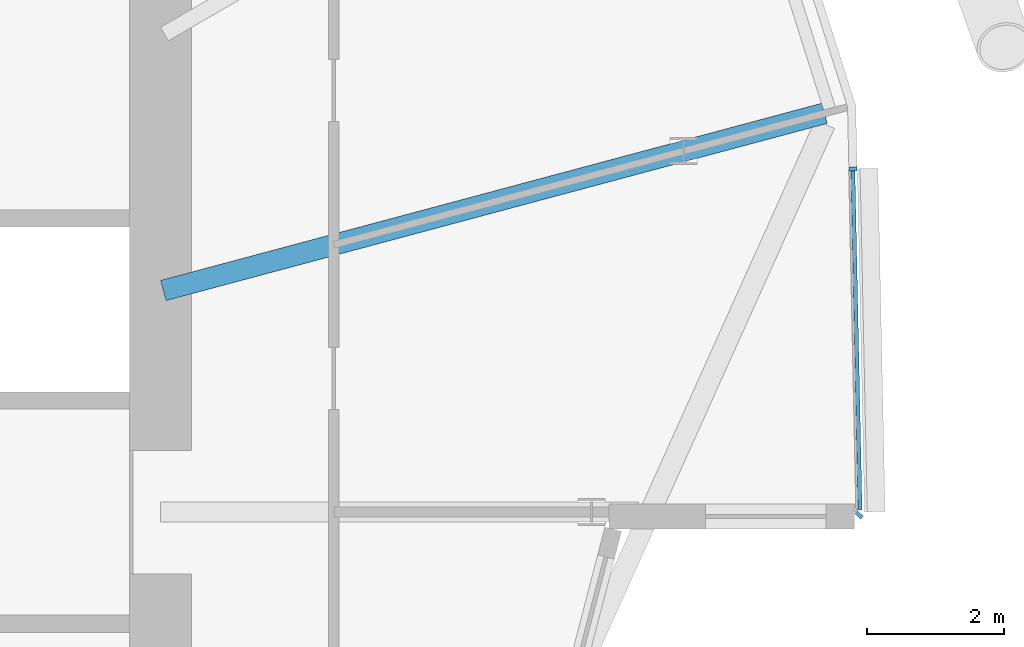
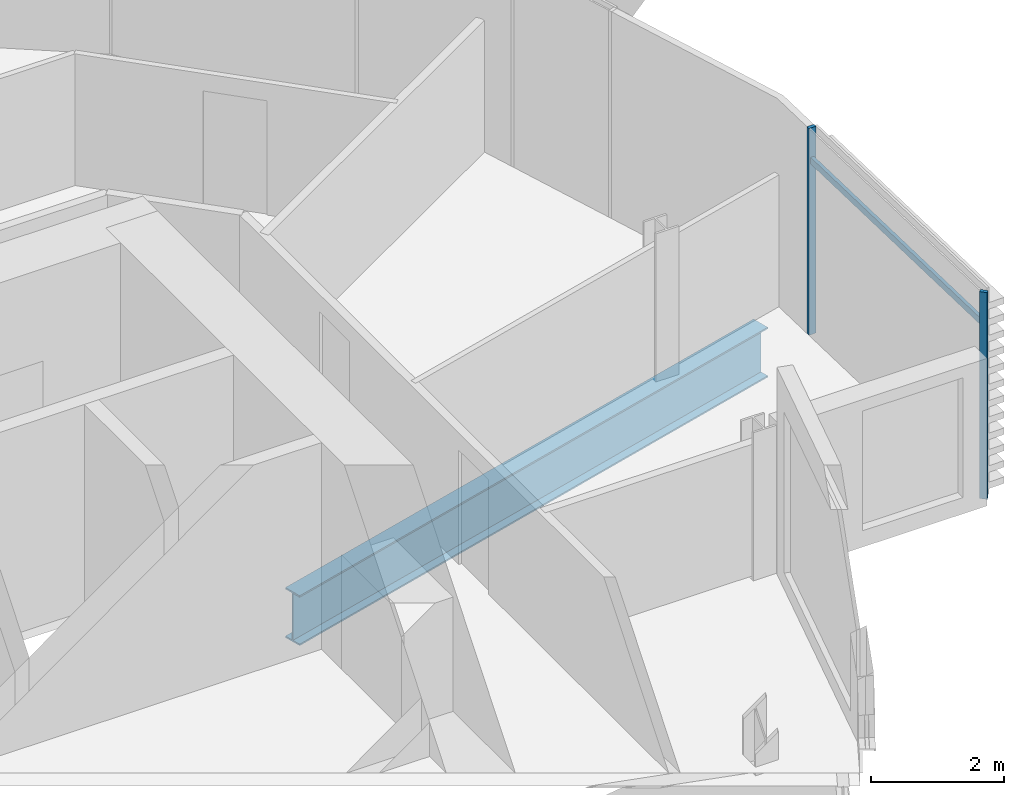
# One storey, part 15 of 36: 3 members, 1 beam, 1 element without a shape of its own.
"""IFC4 building model written with IfcOpenShell, lengths in metres."""

from ifc_helpers import new_model, si_unit, direction, frame, origin, origin_2d, place, context, subcontext, project, spatial, rectangle, i_section, extrude, material, material_profile, profile_set, type_object, element, aggregate, save


model = new_model("IFC4")

# Units and contexts
model_context = context("Model", 3, precision=1e-05, world=origin(), true_north=direction((0.0, 1.0)))
body_context = subcontext(model_context, "Body", "Model", "MODEL_VIEW")
ifc_project = project(units=[si_unit("LENGTHUNIT", "METRE"), si_unit("AREAUNIT", "SQUARE_METRE"), si_unit("VOLUMEUNIT", "CUBIC_METRE"), si_unit("PLANEANGLEUNIT", "RADIAN"), si_unit("MASSUNIT", "GRAM", prefix="KILO")], contexts=[model_context])

# Site, building, storey
site_placement = place(None, origin())
site = spatial("IfcSite", under=ifc_project, at=site_placement, CompositionType="ELEMENT")
building_placement = place(site_placement, origin())
building = spatial("IfcBuilding", under=site, at=building_placement, Name="Rimbun Link Towers", CompositionType="ELEMENT")
storey_placement = place(building_placement, frame((0.0, 0.0, 64.199951171875)))
storey = spatial("IfcBuildingStorey", under=building, at=storey_placement, Name="L15", CompositionType="ELEMENT", Elevation=64.199951171875)

# Curtain wall, members
ifc_material_1 = material(Name="Aluminium 6063-T6 and low-iron glass", Category="aluminium")
curtain_wall_type = type_object("IfcCurtainWallType", Name="CW1 unitised vision wall", PredefinedType="NOTDEFINED", material=ifc_material_1)
curtain_wall_placement = place(storey_placement, origin())
curtain_wall = element("IfcCurtainWall", 1, at=curtain_wall_placement, inside=storey, type_object=curtain_wall_type, Name="CW1 L15 T2", PredefinedType="NOTDEFINED")
ifc_material_2 = material(Name="Aluminium 6063-T6", Category="aluminium")
ifc_material_profile_1 = material_profile(ifc_material_2, rectangle(XDim=0.1201171875, YDim=0.06005859375, at=origin_2d()), Name="MULLION 60X120")
ifc_profile_set_1 = profile_set([ifc_material_profile_1], Name="Aluminium 6063-T6")
member_type_1 = type_object("IfcMemberType", Name="CW1 mullion 60X120", PredefinedType="MULLION", material=ifc_profile_set_1)
member_1_placement = place(storey_placement, frame((53.833740234375, 4.99755859375, 0.0), z_axis=(0.0, 0.0, 1.0), x_axis=(0.999778219026, 0.021059742681, 0.0)))
member_1 = element("IfcMember", 2, at=member_1_placement, type_object=member_type_1, Name="CW1 mullion", PredefinedType="MULLION", context=body_context, shape_type="SweptSolid", body=[
    extrude(rectangle(XDim=0.1201171875, YDim=0.06005859375, at=origin_2d()), origin(), (0.0, 0.0, 1.0), 3.800048828125),
])
member_2_placement = place(storey_placement, frame((53.921875, -0.0419921875, 0.0), z_axis=(0.0, 0.0, 1.0), x_axis=(0.714513730687, -0.699621418097, 0.0)))
member_2 = element("IfcMember", 3, at=member_2_placement, type_object=member_type_1, Name="CW1 mullion", PredefinedType="MULLION", context=body_context, shape_type="SweptSolid", body=[
    extrude(rectangle(XDim=0.1201171875, YDim=0.06005859375, at=origin_2d()), origin(), (0.0, 0.0, 1.0), 3.800048828125),
])
ifc_material_3 = material(Name="Aluminium 6063-T6", Category="aluminium")
ifc_material_profile_2 = material_profile(ifc_material_3, rectangle(XDim=0.06005859375, YDim=0.1201171875, at=origin_2d()), Name="TRANSOM 60X120")
ifc_profile_set_2 = profile_set([ifc_material_profile_2], Name="Aluminium 6063-T6")
member_type_2 = type_object("IfcMemberType", Name="CW1 transom 60X120", PredefinedType="USERDEFINED", material=ifc_profile_set_2)
member_3_placement = place(storey_placement, frame((53.832275390625, 4.967529296875, 3.199951171875), z_axis=(0.02106461633, -0.999778116353, 0.0), x_axis=(0.999778116353, 0.02106461633, 0.0)))
member_3 = element("IfcMember", 4, at=member_3_placement, type_object=member_type_2, Name="CW1 transom", ObjectType="TRANSOM", PredefinedType="USERDEFINED", context=body_context, shape_type="SweptSolid", body=[
    extrude(rectangle(XDim=0.06005859375, YDim=0.1201171875, at=origin_2d()), origin(), (0.0, 0.0, 1.0), 4.937255859375),
])
aggregate(curtain_wall, [member_1, member_2, member_3])

# Beam
ifc_material_4 = material(Name="Steel S355J2", Category="steel")
ifc_material_profile_3 = material_profile(ifc_material_4, i_section(OverallWidth=0.305419921875, OverallDepth=0.91845703125, WebThickness=0.017333984375, FlangeThickness=0.02783203125, at=origin_2d()), Name="UB 914x305x253")
ifc_profile_set_3 = profile_set([ifc_material_profile_3], Name="Steel S355J2")
beam_type = type_object("IfcBeamType", Name="UB 914x305x253", PredefinedType="BEAM", material=ifc_profile_set_3)
beam_placement = place(storey_placement, frame((43.79052734375, 3.226318359375, -0.619140625), z_axis=(0.965929795064, 0.258804232979, 0.0), x_axis=(-0.258804232979, 0.965929795064, 0.0)))
element("IfcBeam", 5, at=beam_placement, inside=storey, type_object=beam_type, Name="Radial beam T2 L15 22", PredefinedType="BEAM", context=body_context, shape_type="SweptSolid", body=[
    extrude(i_section(OverallWidth=0.305419921875, OverallDepth=0.91845703125, WebThickness=0.017333984375, FlangeThickness=0.02783203125, at=origin_2d()), origin(), (0.0, 0.0, 1.0), 9.96826171875),
])

save(model, "model.ifc")
